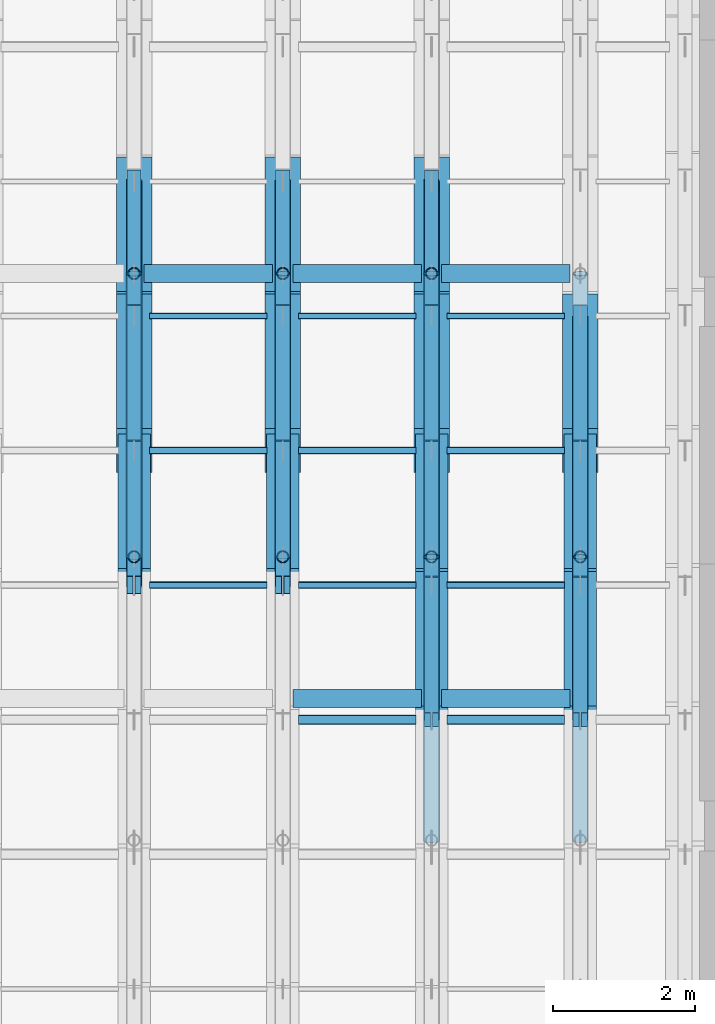
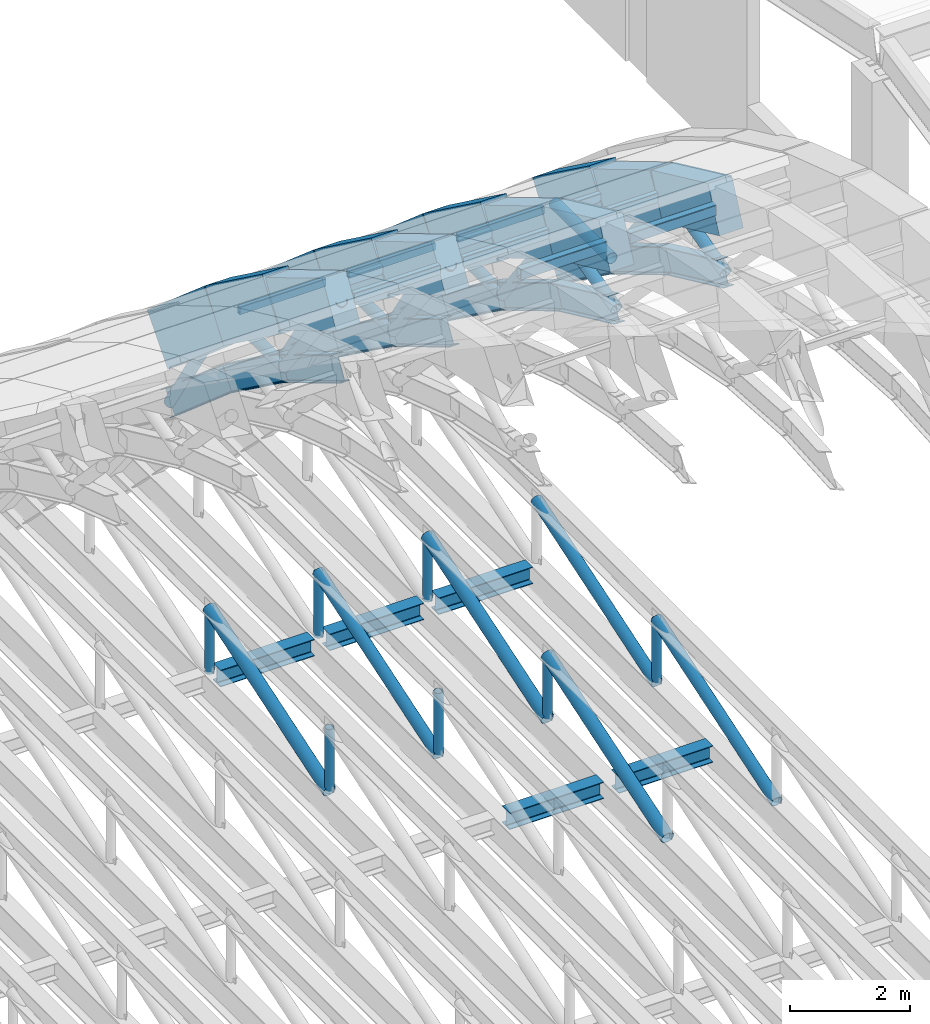
# One storey, part 43 of 67: 37 members, 31 beams.
"""IFC4 building model written with IfcOpenShell, lengths in metres."""

from ifc_helpers import new_model, si_unit, direction, frame, origin, origin_2d, place, context, subcontext, project, spatial, rectangle, hollow_rectangle, hollow_circle, i_section, extrude, material, material_profile, profile_set, type_object, element, save


model = new_model("IFC4")

# Units and contexts
model_context = context("Model", 3, precision=1e-05, world=origin(), true_north=direction((0.0, 1.0)))
body_context = subcontext(model_context, "Body", "Model", "MODEL_VIEW")
ifc_project = project(units=[si_unit("LENGTHUNIT", "METRE"), si_unit("AREAUNIT", "SQUARE_METRE"), si_unit("VOLUMEUNIT", "CUBIC_METRE"), si_unit("PLANEANGLEUNIT", "RADIAN"), si_unit("MASSUNIT", "GRAM", prefix="KILO")], contexts=[model_context])

# Site, building, storey
site_placement = place(None, origin())
site = spatial("IfcSite", under=ifc_project, at=site_placement, CompositionType="ELEMENT")
building_placement = place(site_placement, origin())
building = spatial("IfcBuilding", under=site, at=building_placement, Name="Shengluoqiao Park Theatre", CompositionType="ELEMENT")
storey_placement = place(building_placement, frame((0.0, 0.0, 28.60009765625)))
storey = spatial("IfcBuildingStorey", under=building, at=storey_placement, Name="Roof", CompositionType="ELEMENT", Elevation=28.60009765625)

# Beams
ifc_material_1 = material(Name="Concrete C50", Category="concrete")
ifc_material_profile_1 = material_profile(ifc_material_1, rectangle(XDim=0.4599609375, YDim=0.919921875, at=origin_2d()), Name="RC ARCH 460x920")
ifc_profile_set_1 = profile_set([ifc_material_profile_1], Name="Concrete C50")
beam_type_1 = type_object("IfcBeamType", Name="STR-BM-AR-4609", PredefinedType="BEAM", material=ifc_profile_set_1)
for number, where, z_axis, x_axis, name in (
    (1, (78.0, 102.60009765625, 0.56396484375), (0.0, 0.858668723557, -0.512530997292), (-1.0, 0.0, 0.0), "Barrel-Shell Arch Rib R17-S15"),
    (2, (80.10009765625, 102.60009765625, 0.56396484375), (0.0, 0.858668723557, -0.512530997292), (-1.0, 0.0, 0.0), "Barrel-Shell Arch Rib R18-S15"),
):
    element("IfcBeam", number, at=place(storey_placement, frame(where, z_axis=z_axis, x_axis=x_axis)), inside=storey, type_object=beam_type_1, Name=name, PredefinedType="BEAM", context=body_context, shape_type="SweptSolid", body=[
        extrude(rectangle(XDim=0.4599609375, YDim=0.919921875, at=origin_2d()), origin(), (0.0, 0.0, 1.0), 2.212646484375),
    ])
beam_1_placement = place(storey_placement, frame((82.199951171875, 100.699951171875, 1.44580078125), z_axis=(0.0, 0.907077318021, -0.420964059192), x_axis=(-1.0, 0.0, 0.0)))
element("IfcBeam", 3, at=beam_1_placement, inside=storey, type_object=beam_type_1, Name="Barrel-Shell Arch Rib R19-S14", PredefinedType="BEAM", context=body_context, shape_type="SweptSolid", body=[
    extrude(rectangle(XDim=0.4599609375, YDim=0.919921875, at=origin_2d()), origin(), (0.0, 0.0, 1.0), 2.0947265625),
])
beam_2_placement = place(storey_placement, frame((82.199951171875, 102.60009765625, 0.56396484375), z_axis=(0.0, 0.858668723557, -0.512530997292), x_axis=(-1.0, 0.0, 0.0)))
element("IfcBeam", 4, at=beam_2_placement, inside=storey, type_object=beam_type_1, Name="Barrel-Shell Arch Rib R19-S15", PredefinedType="BEAM", context=body_context, shape_type="SweptSolid", body=[
    extrude(rectangle(XDim=0.4599609375, YDim=0.919921875, at=origin_2d()), origin(), (0.0, 0.0, 1.0), 2.212646484375),
])
beam_3_placement = place(storey_placement, frame((84.300048828125, 100.699951171875, 1.44580078125), z_axis=(0.0, 0.907077318021, -0.420964059192), x_axis=(-1.0, 0.0, 0.0)))
element("IfcBeam", 5, at=beam_3_placement, inside=storey, type_object=beam_type_1, Name="Barrel-Shell Arch Rib R20-S14", PredefinedType="BEAM", context=body_context, shape_type="SweptSolid", body=[
    extrude(rectangle(XDim=0.4599609375, YDim=0.919921875, at=origin_2d()), origin(), (0.0, 0.0, 1.0), 2.0947265625),
])
beam_4_placement = place(storey_placement, frame((84.300048828125, 102.60009765625, 0.56396484375), z_axis=(0.0, 0.858668723557, -0.512530997292), x_axis=(-1.0, 0.0, 0.0)))
element("IfcBeam", 6, at=beam_4_placement, inside=storey, type_object=beam_type_1, Name="Barrel-Shell Arch Rib R20-S15", PredefinedType="BEAM", context=body_context, shape_type="SweptSolid", body=[
    extrude(rectangle(XDim=0.4599609375, YDim=0.919921875, at=origin_2d()), origin(), (0.0, 0.0, 1.0), 2.212646484375),
])
ifc_material_profile_2 = material_profile(ifc_material_1, rectangle(XDim=0.5, YDim=1.050048828125, at=origin_2d()), Name="RC ARCH 500x1050")
ifc_profile_set_2 = profile_set([ifc_material_profile_2], Name="Concrete C50")
beam_type_2 = type_object("IfcBeamType", Name="STR-BM-AR-5010", PredefinedType="BEAM", material=ifc_profile_set_2)
beam_5_placement = place(storey_placement, frame((78.0, 104.5, -0.570068359375), z_axis=(0.0, 0.807877780345, -0.589350058985), x_axis=(-1.0, 0.0, 0.0)))
element("IfcBeam", 7, at=beam_5_placement, inside=storey, type_object=beam_type_2, Name="Barrel-Shell Arch Rib R17-S16", PredefinedType="BEAM", context=body_context, shape_type="SweptSolid", body=[
    extrude(rectangle(XDim=0.5, YDim=1.050048828125, at=origin_2d()), origin(), (0.0, 0.0, 1.0), 2.351806640625),
])
beam_6_placement = place(storey_placement, frame((78.0, 106.39990234375, -1.9560546875), z_axis=(0.0, 0.757433195517, -0.652912669757), x_axis=(-1.0, 0.0, 0.0)))
element("IfcBeam", 8, at=beam_6_placement, inside=storey, type_object=beam_type_2, Name="Barrel-Shell Arch Rib R17-S17", PredefinedType="BEAM", context=body_context, shape_type="SweptSolid", body=[
    extrude(rectangle(XDim=0.5, YDim=1.050048828125, at=origin_2d()), origin(), (0.0, 0.0, 1.0), 2.508544921875),
])
beam_7_placement = place(storey_placement, frame((80.10009765625, 104.5, -0.570068359375), z_axis=(0.0, 0.807877780345, -0.589350058985), x_axis=(-1.0, 0.0, 0.0)))
element("IfcBeam", 9, at=beam_7_placement, inside=storey, type_object=beam_type_2, Name="Barrel-Shell Arch Rib R18-S16", PredefinedType="BEAM", context=body_context, shape_type="SweptSolid", body=[
    extrude(rectangle(XDim=0.5, YDim=1.050048828125, at=origin_2d()), origin(), (0.0, 0.0, 1.0), 2.351806640625),
])
beam_8_placement = place(storey_placement, frame((80.10009765625, 106.39990234375, -1.9560546875), z_axis=(0.0, 0.757433195517, -0.652912669757), x_axis=(-1.0, 0.0, 0.0)))
element("IfcBeam", 10, at=beam_8_placement, inside=storey, type_object=beam_type_2, Name="Barrel-Shell Arch Rib R18-S17", PredefinedType="BEAM", context=body_context, shape_type="SweptSolid", body=[
    extrude(rectangle(XDim=0.5, YDim=1.050048828125, at=origin_2d()), origin(), (0.0, 0.0, 1.0), 2.508544921875),
])
beam_9_placement = place(storey_placement, frame((82.199951171875, 104.5, -0.570068359375), z_axis=(0.0, 0.807877780345, -0.589350058985), x_axis=(-1.0, 0.0, 0.0)))
element("IfcBeam", 11, at=beam_9_placement, inside=storey, type_object=beam_type_2, Name="Barrel-Shell Arch Rib R19-S16", PredefinedType="BEAM", context=body_context, shape_type="SweptSolid", body=[
    extrude(rectangle(XDim=0.5, YDim=1.050048828125, at=origin_2d()), origin(), (0.0, 0.0, 1.0), 2.351806640625),
])
beam_10_placement = place(storey_placement, frame((82.199951171875, 106.39990234375, -1.9560546875), z_axis=(0.0, 0.757433195517, -0.652912669757), x_axis=(-1.0, 0.0, 0.0)))
element("IfcBeam", 12, at=beam_10_placement, inside=storey, type_object=beam_type_2, Name="Barrel-Shell Arch Rib R19-S17", PredefinedType="BEAM", context=body_context, shape_type="SweptSolid", body=[
    extrude(rectangle(XDim=0.5, YDim=1.050048828125, at=origin_2d()), origin(), (0.0, 0.0, 1.0), 2.508544921875),
])
beam_11_placement = place(storey_placement, frame((84.300048828125, 104.5, -0.570068359375), z_axis=(0.0, 0.807877780345, -0.589350058985), x_axis=(-1.0, 0.0, 0.0)))
element("IfcBeam", 13, at=beam_11_placement, inside=storey, type_object=beam_type_2, Name="Barrel-Shell Arch Rib R20-S16", PredefinedType="BEAM", context=body_context, shape_type="SweptSolid", body=[
    extrude(rectangle(XDim=0.5, YDim=1.050048828125, at=origin_2d()), origin(), (0.0, 0.0, 1.0), 2.351806640625),
])
ifc_material_2 = material(Name="Steel Q355", Category="steel")
ifc_material_profile_3 = material_profile(ifc_material_2, i_section(OverallWidth=0.25, OverallDepth=0.340087890625, WebThickness=0.009033203125, FlangeThickness=0.013916015625, FilletRadius=0.01611328125, at=origin_2d()), Name="HM 340x250x9x14")
ifc_profile_set_3 = profile_set([ifc_material_profile_3], Name="Steel Q355")
beam_type_3 = type_object("IfcBeamType", Name="STR-BM-G-HM340", PredefinedType="BEAM", material=ifc_profile_set_3)
for number, where, z_axis, x_axis, name in (
    (14, (78.14404296875, 107.0, -9.77001953125), (1.0, 0.0, 0.0), (0.0, 1.0, 0.0), "Auditorium Overhead Catwalk Girder R17-5"),
    (15, (80.243896484375, 101.0, -9.77001953125), (1.0, 0.0, 0.0), (0.0, 1.0, 0.0), "Auditorium Overhead Catwalk Girder R18-4"),
    (16, (80.243896484375, 107.0, -9.77001953125), (1.0, 0.0, 0.0), (0.0, 1.0, 0.0), "Auditorium Overhead Catwalk Girder R18-5"),
    (17, (82.343994140625, 101.0, -9.77001953125), (1.0, 0.0, 0.0), (0.0, 1.0, 0.0), "Auditorium Overhead Catwalk Girder R19-4"),
    (18, (82.343994140625, 107.0, -9.77001953125), (1.0, 0.0, 0.0), (0.0, 1.0, 0.0), "Auditorium Overhead Catwalk Girder R19-5"),
):
    element("IfcBeam", number, at=place(storey_placement, frame(where, z_axis=z_axis, x_axis=x_axis)), inside=storey, type_object=beam_type_3, Name=name, PredefinedType="BEAM", context=body_context, shape_type="SweptSolid", body=[
        extrude(i_section(OverallWidth=0.25, OverallDepth=0.340087890625, WebThickness=0.009033203125, FlangeThickness=0.013916015625, FilletRadius=0.01611328125, at=origin_2d()), origin(), (0.0, 0.0, 1.0), 1.81201171875),
    ])
ifc_material_profile_4 = material_profile(ifc_material_2, i_section(OverallWidth=0.199951171875, OverallDepth=0.5, WebThickness=0.010009765625, FlangeThickness=0.01611328125, FilletRadius=0.01806640625, at=origin_2d()), Name="HN 500x200x10x16")
ifc_profile_set_4 = profile_set([ifc_material_profile_4], Name="Steel Q355")
beam_type_4 = type_object("IfcBeamType", Name="STR-BM-J-HN500", PredefinedType="JOIST", material=ifc_profile_set_4)
beam_12_placement = place(storey_placement, frame((78.0, 102.60009765625, -0.796142578125), z_axis=(0.0, 0.858668723557, -0.512530997292), x_axis=(-1.0, 0.0, 0.0)))
element("IfcBeam", 19, at=beam_12_placement, inside=storey, type_object=beam_type_4, Name="Barrel-Shell Lower Arch Chord R17-S15", PredefinedType="JOIST", context=body_context, shape_type="SweptSolid", body=[
    extrude(i_section(OverallWidth=0.199951171875, OverallDepth=0.5, WebThickness=0.010009765625, FlangeThickness=0.01611328125, FilletRadius=0.01806640625, at=origin_2d()), origin(), (0.0, 0.0, 1.0), 2.212646484375),
])
beam_13_placement = place(storey_placement, frame((78.0, 104.5, -1.93017578125), z_axis=(0.0, 0.807877780345, -0.589350058985), x_axis=(-1.0, 0.0, 0.0)))
element("IfcBeam", 20, at=beam_13_placement, inside=storey, type_object=beam_type_4, Name="Barrel-Shell Lower Arch Chord R17-S16", PredefinedType="JOIST", context=body_context, shape_type="SweptSolid", body=[
    extrude(i_section(OverallWidth=0.199951171875, OverallDepth=0.5, WebThickness=0.010009765625, FlangeThickness=0.01611328125, FilletRadius=0.01806640625, at=origin_2d()), origin(), (0.0, 0.0, 1.0), 2.351806640625),
])
beam_14_placement = place(storey_placement, frame((78.0, 106.39990234375, -3.316162109375), z_axis=(0.0, 0.757433195517, -0.652912669757), x_axis=(-1.0, 0.0, 0.0)))
element("IfcBeam", 21, at=beam_14_placement, inside=storey, type_object=beam_type_4, Name="Barrel-Shell Lower Arch Chord R17-S17", PredefinedType="JOIST", context=body_context, shape_type="SweptSolid", body=[
    extrude(i_section(OverallWidth=0.199951171875, OverallDepth=0.5, WebThickness=0.010009765625, FlangeThickness=0.01611328125, FilletRadius=0.01806640625, at=origin_2d()), origin(), (0.0, 0.0, 1.0), 2.508544921875),
])
beam_15_placement = place(storey_placement, frame((80.10009765625, 102.60009765625, -0.796142578125), z_axis=(0.0, 0.858668723557, -0.512530997292), x_axis=(-1.0, 0.0, 0.0)))
element("IfcBeam", 22, at=beam_15_placement, inside=storey, type_object=beam_type_4, Name="Barrel-Shell Lower Arch Chord R18-S15", PredefinedType="JOIST", context=body_context, shape_type="SweptSolid", body=[
    extrude(i_section(OverallWidth=0.199951171875, OverallDepth=0.5, WebThickness=0.010009765625, FlangeThickness=0.01611328125, FilletRadius=0.01806640625, at=origin_2d()), origin(), (0.0, 0.0, 1.0), 2.212646484375),
])
beam_16_placement = place(storey_placement, frame((80.10009765625, 104.5, -1.93017578125), z_axis=(0.0, 0.807877780345, -0.589350058985), x_axis=(-1.0, 0.0, 0.0)))
element("IfcBeam", 23, at=beam_16_placement, inside=storey, type_object=beam_type_4, Name="Barrel-Shell Lower Arch Chord R18-S16", PredefinedType="JOIST", context=body_context, shape_type="SweptSolid", body=[
    extrude(i_section(OverallWidth=0.199951171875, OverallDepth=0.5, WebThickness=0.010009765625, FlangeThickness=0.01611328125, FilletRadius=0.01806640625, at=origin_2d()), origin(), (0.0, 0.0, 1.0), 2.351806640625),
])
beam_17_placement = place(storey_placement, frame((80.10009765625, 106.39990234375, -3.316162109375), z_axis=(0.0, 0.757433195517, -0.652912669757), x_axis=(-1.0, 0.0, 0.0)))
element("IfcBeam", 24, at=beam_17_placement, inside=storey, type_object=beam_type_4, Name="Barrel-Shell Lower Arch Chord R18-S17", PredefinedType="JOIST", context=body_context, shape_type="SweptSolid", body=[
    extrude(i_section(OverallWidth=0.199951171875, OverallDepth=0.5, WebThickness=0.010009765625, FlangeThickness=0.01611328125, FilletRadius=0.01806640625, at=origin_2d()), origin(), (0.0, 0.0, 1.0), 2.508544921875),
])
beam_18_placement = place(storey_placement, frame((82.199951171875, 100.699951171875, 0.0859375), z_axis=(0.0, 0.907032812412, -0.421059944911), x_axis=(-1.0, 0.0, 0.0)))
element("IfcBeam", 25, at=beam_18_placement, inside=storey, type_object=beam_type_4, Name="Barrel-Shell Lower Arch Chord R19-S14", PredefinedType="JOIST", context=body_context, shape_type="SweptSolid", body=[
    extrude(i_section(OverallWidth=0.199951171875, OverallDepth=0.5, WebThickness=0.010009765625, FlangeThickness=0.01611328125, FilletRadius=0.01806640625, at=origin_2d()), origin(), (0.0, 0.0, 1.0), 2.094970703125),
])
beam_19_placement = place(storey_placement, frame((82.199951171875, 102.60009765625, -0.796142578125), z_axis=(0.0, 0.858668723557, -0.512530997292), x_axis=(-1.0, 0.0, 0.0)))
element("IfcBeam", 26, at=beam_19_placement, inside=storey, type_object=beam_type_4, Name="Barrel-Shell Lower Arch Chord R19-S15", PredefinedType="JOIST", context=body_context, shape_type="SweptSolid", body=[
    extrude(i_section(OverallWidth=0.199951171875, OverallDepth=0.5, WebThickness=0.010009765625, FlangeThickness=0.01611328125, FilletRadius=0.01806640625, at=origin_2d()), origin(), (0.0, 0.0, 1.0), 2.212646484375),
])
beam_20_placement = place(storey_placement, frame((82.199951171875, 104.5, -1.93017578125), z_axis=(0.0, 0.807877780345, -0.589350058985), x_axis=(-1.0, 0.0, 0.0)))
element("IfcBeam", 27, at=beam_20_placement, inside=storey, type_object=beam_type_4, Name="Barrel-Shell Lower Arch Chord R19-S16", PredefinedType="JOIST", context=body_context, shape_type="SweptSolid", body=[
    extrude(i_section(OverallWidth=0.199951171875, OverallDepth=0.5, WebThickness=0.010009765625, FlangeThickness=0.01611328125, FilletRadius=0.01806640625, at=origin_2d()), origin(), (0.0, 0.0, 1.0), 2.351806640625),
])
beam_21_placement = place(storey_placement, frame((82.199951171875, 106.39990234375, -3.316162109375), z_axis=(0.0, 0.757433195517, -0.652912669757), x_axis=(-1.0, 0.0, 0.0)))
element("IfcBeam", 28, at=beam_21_placement, inside=storey, type_object=beam_type_4, Name="Barrel-Shell Lower Arch Chord R19-S17", PredefinedType="JOIST", context=body_context, shape_type="SweptSolid", body=[
    extrude(i_section(OverallWidth=0.199951171875, OverallDepth=0.5, WebThickness=0.010009765625, FlangeThickness=0.01611328125, FilletRadius=0.01806640625, at=origin_2d()), origin(), (0.0, 0.0, 1.0), 2.508544921875),
])
beam_22_placement = place(storey_placement, frame((84.300048828125, 100.699951171875, 0.0859375), z_axis=(0.0, 0.907032812412, -0.421059944911), x_axis=(-1.0, 0.0, 0.0)))
element("IfcBeam", 29, at=beam_22_placement, inside=storey, type_object=beam_type_4, Name="Barrel-Shell Lower Arch Chord R20-S14", PredefinedType="JOIST", context=body_context, shape_type="SweptSolid", body=[
    extrude(i_section(OverallWidth=0.199951171875, OverallDepth=0.5, WebThickness=0.010009765625, FlangeThickness=0.01611328125, FilletRadius=0.01806640625, at=origin_2d()), origin(), (0.0, 0.0, 1.0), 2.094970703125),
])
beam_23_placement = place(storey_placement, frame((84.300048828125, 102.60009765625, -0.796142578125), z_axis=(0.0, 0.858668723557, -0.512530997292), x_axis=(-1.0, 0.0, 0.0)))
element("IfcBeam", 30, at=beam_23_placement, inside=storey, type_object=beam_type_4, Name="Barrel-Shell Lower Arch Chord R20-S15", PredefinedType="JOIST", context=body_context, shape_type="SweptSolid", body=[
    extrude(i_section(OverallWidth=0.199951171875, OverallDepth=0.5, WebThickness=0.010009765625, FlangeThickness=0.01611328125, FilletRadius=0.01806640625, at=origin_2d()), origin(), (0.0, 0.0, 1.0), 2.212646484375),
])
beam_24_placement = place(storey_placement, frame((84.300048828125, 104.5, -1.93017578125), z_axis=(0.0, 0.807877780345, -0.589350058985), x_axis=(-1.0, 0.0, 0.0)))
element("IfcBeam", 31, at=beam_24_placement, inside=storey, type_object=beam_type_4, Name="Barrel-Shell Lower Arch Chord R20-S16", PredefinedType="JOIST", context=body_context, shape_type="SweptSolid", body=[
    extrude(i_section(OverallWidth=0.199951171875, OverallDepth=0.5, WebThickness=0.010009765625, FlangeThickness=0.01611328125, FilletRadius=0.01806640625, at=origin_2d()), origin(), (0.0, 0.0, 1.0), 2.351806640625),
])

# Members
ifc_material_profile_5 = material_profile(ifc_material_2, hollow_circle(Radius=0.109619140625, WallThickness=0.010009765625, at=origin_2d()), Name="CHS 219x10")
ifc_profile_set_5 = profile_set([ifc_material_profile_5], Name="Steel Q355")
member_type_1 = type_object("IfcMemberType", Name="STR-MEM-BRC-219", PredefinedType="BRACE", material=ifc_profile_set_5)
member_1_placement = place(storey_placement, frame((78.0, 102.60009765625, 0.56396484375), z_axis=(0.0, 0.605963445698, -0.795492490523), x_axis=(-1.0, 0.0, 0.0)))
element("IfcMember", 32, at=member_1_placement, inside=storey, type_object=member_type_1, Name="Barrel-Shell Arch Truss Web 0335", PredefinedType="BRACE", context=body_context, shape_type="SweptSolid", body=[
    extrude(hollow_circle(Radius=0.109619140625, WallThickness=0.010009765625, at=origin_2d()), origin(), (0.0, 0.0, 1.0), 3.13525390625),
])
member_2_placement = place(storey_placement, frame((78.0, 104.5, -1.93017578125), z_axis=(0.0, 0.999907244674, -0.013619913639), x_axis=(-1.0, 0.0, 0.0)))
element("IfcMember", 33, at=member_2_placement, inside=storey, type_object=member_type_1, Name="Barrel-Shell Arch Truss Web 0336", PredefinedType="BRACE", context=body_context, shape_type="SweptSolid", body=[
    extrude(hollow_circle(Radius=0.109619140625, WallThickness=0.010009765625, at=origin_2d()), origin(), (0.0, 0.0, 1.0), 1.900146484375),
])
member_3_placement = place(storey_placement, frame((78.0, 106.39990234375, -1.9560546875), z_axis=(0.0, 0.535330234694, -0.844642847494), x_axis=(-1.0, 0.0, 0.0)))
element("IfcMember", 34, at=member_3_placement, inside=storey, type_object=member_type_1, Name="Barrel-Shell Arch Truss Web 0337", PredefinedType="BRACE", context=body_context, shape_type="SweptSolid", body=[
    extrude(hollow_circle(Radius=0.109619140625, WallThickness=0.010009765625, at=origin_2d()), origin(), (0.0, 0.0, 1.0), 3.549560546875),
])
member_4_placement = place(storey_placement, frame((80.10009765625, 102.60009765625, 0.56396484375), z_axis=(0.0, 0.605963445698, -0.795492490523), x_axis=(-1.0, 0.0, 0.0)))
element("IfcMember", 35, at=member_4_placement, inside=storey, type_object=member_type_1, Name="Barrel-Shell Arch Truss Web 0355", PredefinedType="BRACE", context=body_context, shape_type="SweptSolid", body=[
    extrude(hollow_circle(Radius=0.109619140625, WallThickness=0.010009765625, at=origin_2d()), origin(), (0.0, 0.0, 1.0), 3.13525390625),
])
member_5_placement = place(storey_placement, frame((80.10009765625, 104.5, -1.93017578125), z_axis=(0.0, 0.999907244674, -0.013619913639), x_axis=(-1.0, 0.0, 0.0)))
element("IfcMember", 36, at=member_5_placement, inside=storey, type_object=member_type_1, Name="Barrel-Shell Arch Truss Web 0356", PredefinedType="BRACE", context=body_context, shape_type="SweptSolid", body=[
    extrude(hollow_circle(Radius=0.109619140625, WallThickness=0.010009765625, at=origin_2d()), origin(), (0.0, 0.0, 1.0), 1.900146484375),
])
member_6_placement = place(storey_placement, frame((80.10009765625, 106.39990234375, -1.9560546875), z_axis=(0.0, 0.535330234694, -0.844642847494), x_axis=(-1.0, 0.0, 0.0)))
element("IfcMember", 37, at=member_6_placement, inside=storey, type_object=member_type_1, Name="Barrel-Shell Arch Truss Web 0357", PredefinedType="BRACE", context=body_context, shape_type="SweptSolid", body=[
    extrude(hollow_circle(Radius=0.109619140625, WallThickness=0.010009765625, at=origin_2d()), origin(), (0.0, 0.0, 1.0), 3.549560546875),
])
member_7_placement = place(storey_placement, frame((82.199951171875, 100.699951171875, 0.0859375), z_axis=(0.0, 0.96978228772, 0.243971954176), x_axis=(-1.0, 0.0, 0.0)))
element("IfcMember", 38, at=member_7_placement, inside=storey, type_object=member_type_1, Name="Barrel-Shell Arch Truss Web 0374", PredefinedType="BRACE", context=body_context, shape_type="SweptSolid", body=[
    extrude(hollow_circle(Radius=0.109619140625, WallThickness=0.010009765625, at=origin_2d()), origin(), (0.0, 0.0, 1.0), 1.95947265625),
])
member_8_placement = place(storey_placement, frame((82.199951171875, 102.60009765625, 0.56396484375), z_axis=(0.0, 0.605963445698, -0.795492490523), x_axis=(-1.0, 0.0, 0.0)))
element("IfcMember", 39, at=member_8_placement, inside=storey, type_object=member_type_1, Name="Barrel-Shell Arch Truss Web 0375", PredefinedType="BRACE", context=body_context, shape_type="SweptSolid", body=[
    extrude(hollow_circle(Radius=0.109619140625, WallThickness=0.010009765625, at=origin_2d()), origin(), (0.0, 0.0, 1.0), 3.13525390625),
])
member_9_placement = place(storey_placement, frame((82.199951171875, 104.5, -1.93017578125), z_axis=(0.0, 0.999907244674, -0.013619913639), x_axis=(-1.0, 0.0, 0.0)))
element("IfcMember", 40, at=member_9_placement, inside=storey, type_object=member_type_1, Name="Barrel-Shell Arch Truss Web 0376", PredefinedType="BRACE", context=body_context, shape_type="SweptSolid", body=[
    extrude(hollow_circle(Radius=0.109619140625, WallThickness=0.010009765625, at=origin_2d()), origin(), (0.0, 0.0, 1.0), 1.900146484375),
])
member_10_placement = place(storey_placement, frame((82.199951171875, 106.39990234375, -1.9560546875), z_axis=(0.0, 0.535330234694, -0.844642847494), x_axis=(-1.0, 0.0, 0.0)))
element("IfcMember", 41, at=member_10_placement, inside=storey, type_object=member_type_1, Name="Barrel-Shell Arch Truss Web 0377", PredefinedType="BRACE", context=body_context, shape_type="SweptSolid", body=[
    extrude(hollow_circle(Radius=0.109619140625, WallThickness=0.010009765625, at=origin_2d()), origin(), (0.0, 0.0, 1.0), 3.549560546875),
])
member_11_placement = place(storey_placement, frame((84.300048828125, 100.699951171875, 0.0859375), z_axis=(0.0, 0.96978228772, 0.243971954176), x_axis=(-1.0, 0.0, 0.0)))
element("IfcMember", 42, at=member_11_placement, inside=storey, type_object=member_type_1, Name="Barrel-Shell Arch Truss Web 0394", PredefinedType="BRACE", context=body_context, shape_type="SweptSolid", body=[
    extrude(hollow_circle(Radius=0.109619140625, WallThickness=0.010009765625, at=origin_2d()), origin(), (0.0, 0.0, 1.0), 1.95947265625),
])
member_12_placement = place(storey_placement, frame((84.300048828125, 102.60009765625, 0.56396484375), z_axis=(0.0, 0.605963445698, -0.795492490523), x_axis=(-1.0, 0.0, 0.0)))
element("IfcMember", 43, at=member_12_placement, inside=storey, type_object=member_type_1, Name="Barrel-Shell Arch Truss Web 0395", PredefinedType="BRACE", context=body_context, shape_type="SweptSolid", body=[
    extrude(hollow_circle(Radius=0.109619140625, WallThickness=0.010009765625, at=origin_2d()), origin(), (0.0, 0.0, 1.0), 3.13525390625),
])
member_13_placement = place(storey_placement, frame((84.300048828125, 104.5, -1.93017578125), z_axis=(0.0, 0.999907244674, -0.013619913639), x_axis=(-1.0, 0.0, 0.0)))
element("IfcMember", 44, at=member_13_placement, inside=storey, type_object=member_type_1, Name="Barrel-Shell Arch Truss Web 0396", PredefinedType="BRACE", context=body_context, shape_type="SweptSolid", body=[
    extrude(hollow_circle(Radius=0.109619140625, WallThickness=0.010009765625, at=origin_2d()), origin(), (0.0, 0.0, 1.0), 1.900146484375),
])
for number, where, z_axis, x_axis, name in (
    (45, (80.10009765625, 103.0, -9.650146484375), (0.0, 0.951030656115, 0.309096572498), (-1.0, 0.0, 0.0), "Acoustic Tie Truss Diagonal 0152"),
    (46, (84.300048828125, 99.0, -9.650146484375), (0.0, 0.951030656115, 0.309096572498), (-1.0, 0.0, 0.0), "Acoustic Tie Truss Diagonal 0185"),
    (47, (84.300048828125, 103.0, -9.650146484375), (0.0, 0.951030656115, 0.309096572498), (-1.0, 0.0, 0.0), "Acoustic Tie Truss Diagonal 0186"),
):
    element("IfcMember", number, at=place(storey_placement, frame(where, z_axis=z_axis, x_axis=x_axis)), inside=storey, type_object=member_type_1, Name=name, PredefinedType="BRACE", context=body_context, shape_type="SweptSolid", body=[
        extrude(hollow_circle(Radius=0.109619140625, WallThickness=0.010009765625, at=origin_2d()), origin(), (0.0, 0.0, 1.0), 4.2060546875),
    ])
ifc_material_profile_6 = material_profile(ifc_material_2, hollow_circle(Radius=0.12255859375, WallThickness=0.010009765625, at=origin_2d()), Name="CHS 245x10")
ifc_profile_set_6 = profile_set([ifc_material_profile_6], Name="Steel Q355")
member_type_2 = type_object("IfcMemberType", Name="STR-MEM-BRC-245", PredefinedType="BRACE", material=ifc_profile_set_6)
for number, where, z_axis, x_axis, name in (
    (48, (78.0, 103.0, -9.650146484375), (0.0, 0.951030656115, 0.309096572498), (-1.0, 0.0, 0.0), "Acoustic Tie Truss Diagonal 0135"),
    (49, (82.199951171875, 99.0, -9.650146484375), (0.0, 0.951030656115, 0.309096572498), (-1.0, 0.0, 0.0), "Acoustic Tie Truss Diagonal 0168"),
    (50, (82.199951171875, 103.0, -9.650146484375), (0.0, 0.951030656115, 0.309096572498), (-1.0, 0.0, 0.0), "Acoustic Tie Truss Diagonal 0169"),
):
    element("IfcMember", number, at=place(storey_placement, frame(where, z_axis=z_axis, x_axis=x_axis)), inside=storey, type_object=member_type_2, Name=name, PredefinedType="BRACE", context=body_context, shape_type="SweptSolid", body=[
        extrude(hollow_circle(Radius=0.12255859375, WallThickness=0.010009765625, at=origin_2d()), origin(), (0.0, 0.0, 1.0), 4.2060546875),
    ])
ifc_material_profile_7 = material_profile(ifc_material_2, hollow_rectangle(XDim=0.080078125, YDim=0.159912109375, WallThickness=0.006103515625, InnerFilletRadius=0.006103515625, OuterFilletRadius=0.011962890625, at=origin_2d()), Name="RHS 160x80x6")
ifc_profile_set_7 = profile_set([ifc_material_profile_7], Name="Steel Q355")
member_type_3 = type_object("IfcMemberType", Name="STR-MEM-PU-R160", PredefinedType="PURLIN", material=ifc_profile_set_7)
for number, where, z_axis, x_axis, name in (
    (51, (78.219970703125, 106.39990234375, -2.006103515625), (1.0, 0.0, 0.0), (0.0, 1.0, 0.0), "Shell Longitudinal Purlin 0320"),
    (52, (80.320068359375, 106.39990234375, -2.006103515625), (1.0, 0.0, 0.0), (0.0, 1.0, 0.0), "Shell Longitudinal Purlin 0339"),
):
    element("IfcMember", number, at=place(storey_placement, frame(where, z_axis=z_axis, x_axis=x_axis)), inside=storey, type_object=member_type_3, Name=name, PredefinedType="PURLIN", context=body_context, shape_type="SweptSolid", body=[
        extrude(hollow_rectangle(XDim=0.080078125, YDim=0.159912109375, WallThickness=0.006103515625, InnerFilletRadius=0.006103515625, OuterFilletRadius=0.011962890625, at=origin_2d()), origin(), (0.0, 0.0, 1.0), 1.659912109375),
    ])
member_14_placement = place(storey_placement, frame((82.419921875, 106.39990234375, -2.006103515625), z_axis=(1.0, 0.0, 0.0), x_axis=(0.0, 1.0, 0.0)))
element("IfcMember", 53, at=member_14_placement, inside=storey, type_object=member_type_3, Name="Shell Longitudinal Purlin 0358", PredefinedType="PURLIN", context=body_context, shape_type="SweptSolid", body=[
    extrude(hollow_rectangle(XDim=0.080078125, YDim=0.159912109375, WallThickness=0.006103515625, InnerFilletRadius=0.006103515625, OuterFilletRadius=0.011962890625, at=origin_2d()), origin(), (0.0, 0.0, 1.0), 1.66015625),
])
ifc_material_profile_8 = material_profile(ifc_material_2, hollow_rectangle(XDim=0.10009765625, YDim=0.179931640625, WallThickness=0.008056640625, InnerFilletRadius=0.008056640625, OuterFilletRadius=0.01611328125, at=origin_2d()), Name="RHS 180x100x8")
ifc_profile_set_8 = profile_set([ifc_material_profile_8], Name="Steel Q355")
member_type_4 = type_object("IfcMemberType", Name="STR-MEM-PU-R180", PredefinedType="PURLIN", material=ifc_profile_set_8)
for number, where, z_axis, x_axis, name in (
    (54, (78.219970703125, 104.5, -0.590087890625), (1.0, 0.0, 0.0), (0.0, 1.0, 0.0), "Shell Longitudinal Purlin 0319"),
    (55, (80.320068359375, 104.5, -0.590087890625), (1.0, 0.0, 0.0), (0.0, 1.0, 0.0), "Shell Longitudinal Purlin 0338"),
):
    element("IfcMember", number, at=place(storey_placement, frame(where, z_axis=z_axis, x_axis=x_axis)), inside=storey, type_object=member_type_4, Name=name, PredefinedType="PURLIN", context=body_context, shape_type="SweptSolid", body=[
        extrude(hollow_rectangle(XDim=0.10009765625, YDim=0.179931640625, WallThickness=0.008056640625, InnerFilletRadius=0.008056640625, OuterFilletRadius=0.01611328125, at=origin_2d()), origin(), (0.0, 0.0, 1.0), 1.659912109375),
    ])
member_15_placement = place(storey_placement, frame((82.419921875, 104.5, -0.590087890625), z_axis=(1.0, 0.0, 0.0), x_axis=(0.0, 1.0, 0.0)))
element("IfcMember", 56, at=member_15_placement, inside=storey, type_object=member_type_4, Name="Shell Longitudinal Purlin 0357", PredefinedType="PURLIN", context=body_context, shape_type="SweptSolid", body=[
    extrude(hollow_rectangle(XDim=0.10009765625, YDim=0.179931640625, WallThickness=0.008056640625, InnerFilletRadius=0.008056640625, OuterFilletRadius=0.01611328125, at=origin_2d()), origin(), (0.0, 0.0, 1.0), 1.66015625),
])
ifc_material_profile_9 = material_profile(ifc_material_2, hollow_rectangle(XDim=0.10009765625, YDim=0.199951171875, WallThickness=0.008056640625, InnerFilletRadius=0.008056640625, OuterFilletRadius=0.01611328125, at=origin_2d()), Name="RHS 200x100x8")
ifc_profile_set_9 = profile_set([ifc_material_profile_9], Name="Steel Q355")
member_type_5 = type_object("IfcMemberType", Name="STR-MEM-PU-R200", PredefinedType="PURLIN", material=ifc_profile_set_9)
for number, where, z_axis, x_axis, name in (
    (57, (78.219970703125, 102.60009765625, 0.56396484375), (1.0, 0.0, 0.0), (0.0, 1.0, 0.0), "Shell Longitudinal Purlin 0318"),
    (58, (80.320068359375, 102.60009765625, 0.56396484375), (1.0, 0.0, 0.0), (0.0, 1.0, 0.0), "Shell Longitudinal Purlin 0337"),
):
    element("IfcMember", number, at=place(storey_placement, frame(where, z_axis=z_axis, x_axis=x_axis)), inside=storey, type_object=member_type_5, Name=name, PredefinedType="PURLIN", context=body_context, shape_type="SweptSolid", body=[
        extrude(hollow_rectangle(XDim=0.10009765625, YDim=0.199951171875, WallThickness=0.008056640625, InnerFilletRadius=0.008056640625, OuterFilletRadius=0.01611328125, at=origin_2d()), origin(), (0.0, 0.0, 1.0), 1.659912109375),
    ])
member_16_placement = place(storey_placement, frame((82.419921875, 102.60009765625, 0.56396484375), z_axis=(1.0, 0.0, 0.0), x_axis=(0.0, 1.0, 0.0)))
element("IfcMember", 59, at=member_16_placement, inside=storey, type_object=member_type_5, Name="Shell Longitudinal Purlin 0356", PredefinedType="PURLIN", context=body_context, shape_type="SweptSolid", body=[
    extrude(hollow_rectangle(XDim=0.10009765625, YDim=0.199951171875, WallThickness=0.008056640625, InnerFilletRadius=0.008056640625, OuterFilletRadius=0.01611328125, at=origin_2d()), origin(), (0.0, 0.0, 1.0), 1.66015625),
])
ifc_material_profile_10 = material_profile(ifc_material_2, hollow_rectangle(XDim=0.139892578125, YDim=0.219970703125, WallThickness=0.010009765625, InnerFilletRadius=0.010009765625, OuterFilletRadius=0.02001953125, at=origin_2d()), Name="RHS 220x140x10")
ifc_profile_set_10 = profile_set([ifc_material_profile_10], Name="Steel Q355")
member_type_6 = type_object("IfcMemberType", Name="STR-MEM-PU-R220", PredefinedType="PURLIN", material=ifc_profile_set_10)
member_17_placement = place(storey_placement, frame((80.320068359375, 100.699951171875, 1.4658203125), z_axis=(1.0, 0.0, 0.0), x_axis=(0.0, 1.0, 0.0)))
element("IfcMember", 60, at=member_17_placement, inside=storey, type_object=member_type_6, Name="Shell Longitudinal Purlin 0336", PredefinedType="PURLIN", context=body_context, shape_type="SweptSolid", body=[
    extrude(hollow_rectangle(XDim=0.139892578125, YDim=0.219970703125, WallThickness=0.010009765625, InnerFilletRadius=0.010009765625, OuterFilletRadius=0.02001953125, at=origin_2d()), origin(), (0.0, 0.0, 1.0), 1.659912109375),
])
member_18_placement = place(storey_placement, frame((82.419921875, 100.699951171875, 1.4658203125), z_axis=(1.0, 0.0, 0.0), x_axis=(0.0, 1.0, 0.0)))
element("IfcMember", 61, at=member_18_placement, inside=storey, type_object=member_type_6, Name="Shell Longitudinal Purlin 0355", PredefinedType="PURLIN", context=body_context, shape_type="SweptSolid", body=[
    extrude(hollow_rectangle(XDim=0.139892578125, YDim=0.219970703125, WallThickness=0.010009765625, InnerFilletRadius=0.010009765625, OuterFilletRadius=0.02001953125, at=origin_2d()), origin(), (0.0, 0.0, 1.0), 1.66015625),
])
ifc_material_profile_11 = material_profile(ifc_material_2, hollow_circle(Radius=0.083984375, WallThickness=0.008056640625, at=origin_2d()), Name="CHS 168x8")
ifc_profile_set_11 = profile_set([ifc_material_profile_11], Name="Steel Q355")
member_type_7 = type_object("IfcMemberType", Name="STR-MEM-STC-168", PredefinedType="STRUT", material=ifc_profile_set_11)
for number, where, z_axis, x_axis, name in (
    (62, (78.0, 103.0, -9.650146484375), (0.0, 0.0, 1.0), (1.0, 0.0, 0.0), "Acoustic Tie Truss Strut 0126"),
    (63, (78.0, 107.0, -9.650146484375), (0.0, 0.0, 1.0), (1.0, 0.0, 0.0), "Acoustic Tie Truss Strut 0127"),
    (64, (80.10009765625, 103.0, -9.650146484375), (0.0, 0.0, 1.0), (1.0, 0.0, 0.0), "Acoustic Tie Truss Strut 0143"),
    (65, (80.10009765625, 107.0, -9.650146484375), (0.0, 0.0, 1.0), (1.0, 0.0, 0.0), "Acoustic Tie Truss Strut 0144"),
    (66, (82.199951171875, 103.0, -9.650146484375), (0.0, 0.0, 1.0), (1.0, 0.0, 0.0), "Acoustic Tie Truss Strut 0160"),
    (67, (82.199951171875, 107.0, -9.650146484375), (0.0, 0.0, 1.0), (1.0, 0.0, 0.0), "Acoustic Tie Truss Strut 0161"),
    (68, (84.300048828125, 103.0, -9.650146484375), (0.0, 0.0, 1.0), (1.0, 0.0, 0.0), "Acoustic Tie Truss Strut 0177"),
):
    element("IfcMember", number, at=place(storey_placement, frame(where, z_axis=z_axis, x_axis=x_axis)), inside=storey, type_object=member_type_7, Name=name, PredefinedType="STRUT", context=body_context, shape_type="SweptSolid", body=[
        extrude(hollow_circle(Radius=0.083984375, WallThickness=0.008056640625, at=origin_2d()), origin(), (0.0, 0.0, 1.0), 1.300048828125),
    ])

save(model, "model.ifc")
